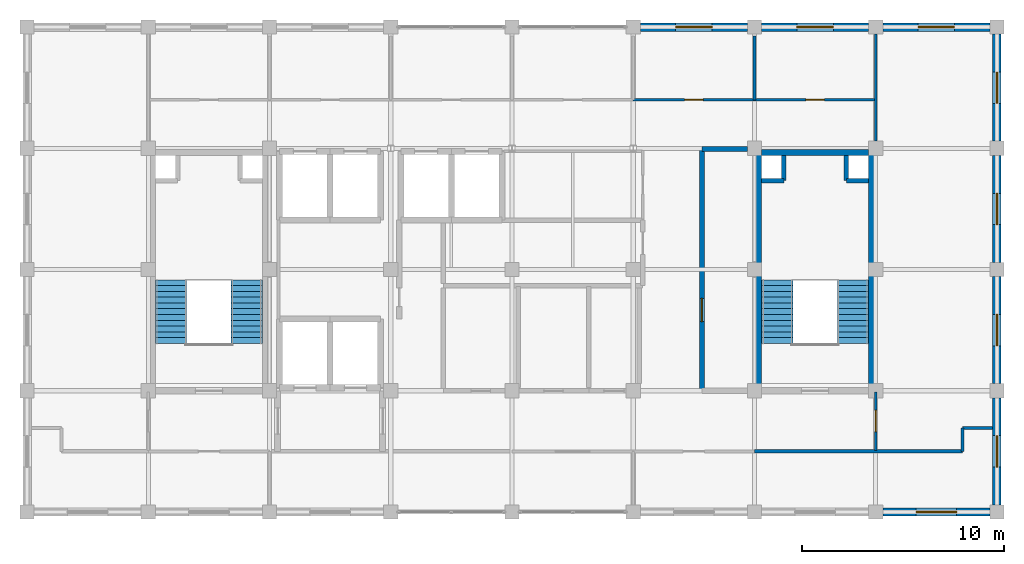
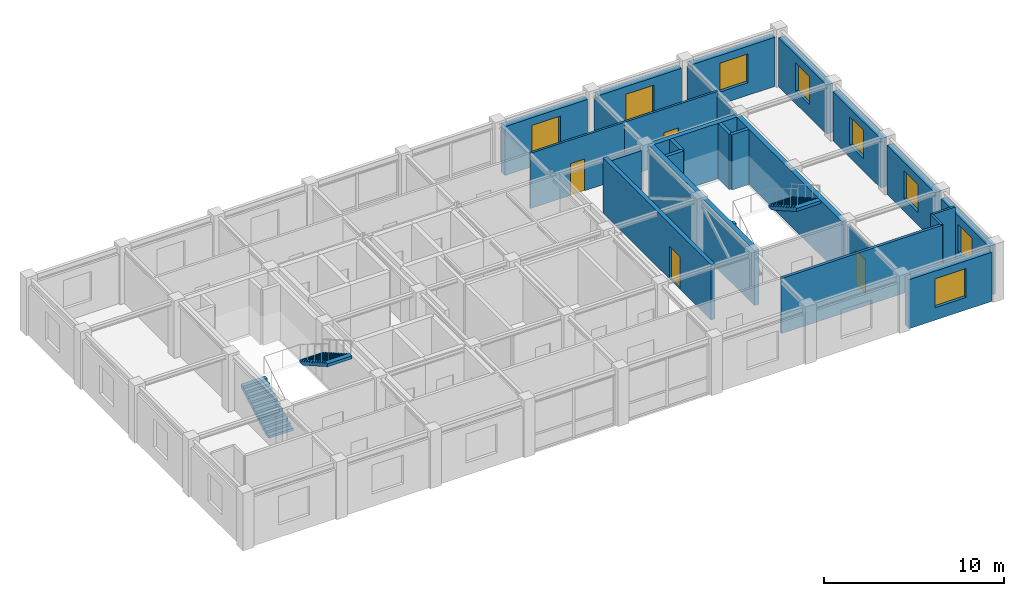
# One storey, part 10 of 11: 25 walls, 8 windows, 4 doors, 4 stair flights, 12 openings, 2 elements without a shape of their own.
"""IFC4 building model written with IfcOpenShell, lengths in metres."""

from ifc_helpers import new_model, si_unit, direction, frame, frame_2d, origin, place, context, subcontext, project, spatial, polyline, rectangle, outline, extrude, material, layer, layer_set, type_object, element, fill, aggregate, save


model = new_model("IFC4")

# Units and contexts
model_context = context("Model", 3, precision=1e-05, world=origin(), true_north=direction((0.0, 1.0)))
body_context = subcontext(model_context, "Body", "Model", "MODEL_VIEW")
ifc_project = project(units=[si_unit("LENGTHUNIT", "METRE"), si_unit("AREAUNIT", "SQUARE_METRE"), si_unit("VOLUMEUNIT", "CUBIC_METRE"), si_unit("PLANEANGLEUNIT", "RADIAN"), si_unit("MASSUNIT", "GRAM", prefix="KILO")], contexts=[model_context])

# Site, building, storey
site_placement = place(None, origin())
site = spatial("IfcSite", under=ifc_project, at=site_placement, CompositionType="ELEMENT")
building_placement = place(site_placement, origin())
building = spatial("IfcBuilding", under=site, at=building_placement, Name="Zlatovratsky Civic Hall", CompositionType="ELEMENT")
storey_placement = place(building_placement, frame((0.0, 0.0, 60.0)))
storey = spatial("IfcBuildingStorey", under=building, at=storey_placement, Name="L15", CompositionType="ELEMENT", Elevation=60.0)

# Wall
ifc_material_1 = material(Name="Acoustic ceramic blockwork", Category="masonry")
ifc_layer_1 = layer(ifc_material_1, 0.179931640625)
ifc_layer_set_1 = layer_set([ifc_layer_1], Name="Acoustic ceramic blockwork")
wall_type_1 = type_object("IfcWallType", Name="Wall_AcousticChamberPartition_180", PredefinedType="PARTITIONING", material=ifc_layer_set_1)
wall_1_placement = place(storey_placement, frame((96.0, 81.0, 0.0), z_axis=(0.0, 0.0, 1.0), x_axis=(1.0, 0.0, 0.0)))
element("IfcWall", 1, at=wall_1_placement, inside=storey, type_object=wall_type_1, Name="WL-6726", PredefinedType="PARTITIONING", context=body_context, shape_type="SweptSolid", body=[
    extrude(rectangle(XDim=10.300048828125, YDim=0.179931640625, at=frame_2d((5.14990234375, 0.0))), origin(), (0.0, 0.0, 1.0), 3.739990234375),
])

# Wall, opening, door
ifc_layer_2 = layer(ifc_material_1, 0.260009765625)
ifc_layer_set_2 = layer_set([ifc_layer_2], Name="Acoustic ceramic blockwork")
wall_type_2 = type_object("IfcWallType", Name="Wall_ArchiveCompartment_260", PredefinedType="PARTITIONING", material=ifc_layer_set_2)
wall_2_placement = place(storey_placement, frame((93.39990234375, 84.0, 0.0), z_axis=(0.0, 0.0, 1.0), x_axis=(0.0, 1.0, 0.0)))
wall_2 = element("IfcWall", 2, at=wall_2_placement, inside=storey, type_object=wall_type_2, Name="WL-6686", PredefinedType="PARTITIONING", context=body_context, shape_type="SweptSolid", body=[
    extrude(rectangle(XDim=11.9599609375, YDim=0.260009765625, at=frame_2d((5.97998046875, 0.0))), origin(), (0.0, 0.0, 1.0), 3.739990234375),
])
opening_1_placement = place(wall_2_placement, frame((3.425048828125, 0.0, 0.0)))
opening_1 = element("IfcOpeningElement", 3, at=opening_1_placement, cuts=wall_2, Name="Opening D-31", PredefinedType="OPENING", context=body_context, shape_type="SweptSolid", body=[
    extrude(rectangle(XDim=1.14990234375, YDim=2.199951171875, at=frame_2d((0.574951171875, 1.10009765625))), frame((0.0, 0.14501953125, 0.0), z_axis=(0.0, -1.0, 0.0), x_axis=(1.0, 0.0, 0.0)), (0.0, 0.0, 1.0), 0.289794921875),
])
ifc_material_2 = material(Name="Insulated painted fire-rated steel leaf", Category="steel")
door_type_1 = type_object("IfcDoorType", Name="Door_RecordsVault_1150x2200", OperationType="NOTDEFINED", PredefinedType="DOOR", material=ifc_material_2)
door_1_placement = place(opening_1_placement, origin())
door_1 = element("IfcDoor", 4, at=door_1_placement, inside=storey, type_object=door_type_1, Name="DR-5515", OperationType="SINGLE_SWING_LEFT", OverallHeight=2.199951171875, OverallWidth=1.14990234375, PredefinedType="DOOR", context=body_context, shape_type="SweptSolid", body=[
    extrude(rectangle(XDim=1.14990234375, YDim=2.199951171875, at=frame_2d((0.574951171875, 1.10009765625))), frame((0.0, 0.02490234375, 0.0), z_axis=(0.0, -1.0, 0.0), x_axis=(1.0, 0.0, 0.0)), (0.0, 0.0, 1.0), 0.050048828125),
])
fill(opening_1, door_1)

# Wall
wall_3_placement = place(storey_placement, frame((93.39990234375, 95.9599609375, 0.0), z_axis=(0.0, 0.0, 1.0), x_axis=(1.0, 0.0, 0.0)))
element("IfcWall", 5, at=wall_3_placement, inside=storey, type_object=wall_type_2, Name="WL-6688", PredefinedType="PARTITIONING", context=body_context, shape_type="SweptSolid", body=[
    extrude(rectangle(XDim=2.25, YDim=0.260009765625, at=frame_2d((1.125, 0.0))), origin(), (0.0, 0.0, 1.0), 3.448974609375),
])

# Wall, opening, door
ifc_material_3 = material(Name="Fire-rated gypsum board framing", Category="gypsum")
ifc_layer_3 = layer(ifc_material_3, 0.139892578125)
ifc_layer_set_3 = layer_set([ifc_layer_3], Name="Fire-rated gypsum board framing")
wall_type_3 = type_object("IfcWallType", Name="Wall_OfficePartition_140", PredefinedType="PARTITIONING", material=ifc_layer_set_3)
wall_4_placement = place(storey_placement, frame((102.0, 81.050048828125, 0.0), z_axis=(0.0, 0.0, 1.0), x_axis=(0.0, 1.0, 0.0)))
wall_4 = element("IfcWall", 6, at=wall_4_placement, inside=storey, type_object=wall_type_3, Name="WL-6699", PredefinedType="PARTITIONING", context=body_context, shape_type="SweptSolid", body=[
    extrude(rectangle(XDim=2.89990234375, YDim=0.139892578125, at=frame_2d((1.449951171875, 0.0))), origin(), (0.0, 0.0, 1.0), 3.448974609375),
])
opening_2_placement = place(wall_4_placement, frame((0.925048828125, 0.0, 0.0)))
opening_2 = element("IfcOpeningElement", 7, at=opening_2_placement, cuts=wall_4, Name="Opening D-24", PredefinedType="OPENING", context=body_context, shape_type="SweptSolid", body=[
    extrude(rectangle(XDim=1.050048828125, YDim=2.25, at=frame_2d((0.52490234375, 1.125))), frame((0.0, 0.0849609375, 0.0), z_axis=(0.0, -1.0, 0.0), x_axis=(1.0, 0.0, 0.0)), (0.0, 0.0, 1.0), 0.169677734375),
])
ifc_material_4 = material(Name="Solid oak joinery in steel frame", Category="steel")
door_type_2 = type_object("IfcDoorType", Name="Door_DirectorateOffice_1050x2250", OperationType="NOTDEFINED", PredefinedType="DOOR", material=ifc_material_4)
door_2_placement = place(opening_2_placement, origin())
door_2 = element("IfcDoor", 8, at=door_2_placement, inside=storey, type_object=door_type_2, Name="DR-5523", OperationType="SINGLE_SWING_RIGHT", OverallHeight=2.25, OverallWidth=1.050048828125, PredefinedType="DOOR", context=body_context, shape_type="SweptSolid", body=[
    extrude(rectangle(XDim=1.050048828125, YDim=2.25, at=frame_2d((0.52490234375, 1.125))), frame((0.0, 0.02490234375, 0.0), z_axis=(0.0, -1.0, 0.0), x_axis=(1.0, 0.0, 0.0)), (0.0, 0.0, 1.0), 0.050048828125),
])
fill(opening_2, door_2)

wall_5_placement = place(storey_placement, frame((90.0, 98.39990234375, 0.0), z_axis=(0.0, 0.0, 1.0), x_axis=(1.0, 0.0, 0.0)))
wall_5 = element("IfcWall", 9, at=wall_5_placement, inside=storey, type_object=wall_type_3, Name="WL-6709", PredefinedType="PARTITIONING", context=body_context, shape_type="SweptSolid", body=[
    extrude(rectangle(XDim=6.0, YDim=0.139892578125, at=frame_2d((3.0, 0.0))), origin(), (0.0, 0.0, 1.0), 3.739990234375),
])
opening_3_placement = place(wall_5_placement, frame((2.5400390625, 0.0, 0.0)))
opening_3 = element("IfcOpeningElement", 10, at=opening_3_placement, cuts=wall_5, Name="Opening D-23", PredefinedType="OPENING", context=body_context, shape_type="SweptSolid", body=[
    extrude(rectangle(XDim=0.919921875, YDim=2.14990234375, at=frame_2d((0.4599609375, 1.074951171875))), frame((0.0, 0.0849609375, 0.0), z_axis=(0.0, -1.0, 0.0), x_axis=(1.0, 0.0, 0.0)), (0.0, 0.0, 1.0), 0.169677734375),
])
door_type_3 = type_object("IfcDoorType", Name="Door_OfficeStandard_920x2150", OperationType="NOTDEFINED", PredefinedType="DOOR", material=ifc_material_4)
door_3_placement = place(opening_3_placement, origin())
door_3 = element("IfcDoor", 11, at=door_3_placement, inside=storey, type_object=door_type_3, Name="DR-5533", OperationType="SINGLE_SWING_RIGHT", OverallHeight=2.14990234375, OverallWidth=0.919921875, PredefinedType="DOOR", context=body_context, shape_type="SweptSolid", body=[
    extrude(rectangle(XDim=0.919921875, YDim=2.14990234375, at=frame_2d((0.4599609375, 1.074951171875))), frame((0.0, 0.02490234375, 0.0), z_axis=(0.0, -1.0, 0.0), x_axis=(1.0, 0.0, 0.0)), (0.0, 0.0, 1.0), 0.050048828125),
])
fill(opening_3, door_3)

wall_6_placement = place(storey_placement, frame((96.0, 98.39990234375, 0.0), z_axis=(0.0, 0.0, 1.0), x_axis=(1.0, 0.0, 0.0)))
wall_6 = element("IfcWall", 12, at=wall_6_placement, inside=storey, type_object=wall_type_3, Name="WL-6710", PredefinedType="PARTITIONING", context=body_context, shape_type="SweptSolid", body=[
    extrude(rectangle(XDim=6.0, YDim=0.139892578125, at=frame_2d((3.0, 0.0))), origin(), (0.0, 0.0, 1.0), 3.739990234375),
])
opening_4_placement = place(wall_6_placement, frame((2.5400390625, 0.0, 0.0)))
opening_4 = element("IfcOpeningElement", 13, at=opening_4_placement, cuts=wall_6, Name="Opening D-23", PredefinedType="OPENING", context=body_context, shape_type="SweptSolid", body=[
    extrude(rectangle(XDim=0.919921875, YDim=2.14990234375, at=frame_2d((0.4599609375, 1.074951171875))), frame((0.0, 0.0849609375, 0.0), z_axis=(0.0, -1.0, 0.0), x_axis=(1.0, 0.0, 0.0)), (0.0, 0.0, 1.0), 0.169677734375),
])
door_4_placement = place(opening_4_placement, origin())
door_4 = element("IfcDoor", 14, at=door_4_placement, inside=storey, type_object=door_type_3, Name="DR-5534", OperationType="SINGLE_SWING_RIGHT", OverallHeight=2.14990234375, OverallWidth=0.919921875, PredefinedType="DOOR", context=body_context, shape_type="SweptSolid", body=[
    extrude(rectangle(XDim=0.919921875, YDim=2.14990234375, at=frame_2d((0.4599609375, 1.074951171875))), frame((0.0, 0.02490234375, 0.0), z_axis=(0.0, -1.0, 0.0), x_axis=(1.0, 0.0, 0.0)), (0.0, 0.0, 1.0), 0.050048828125),
])
fill(opening_4, door_4)

# Walls
wall_7_placement = place(storey_placement, frame((96.0, 98.39990234375, 0.0), z_axis=(0.0, 0.0, 1.0), x_axis=(0.0, 1.0, 0.0)))
element("IfcWall", 15, at=wall_7_placement, inside=storey, type_object=wall_type_3, Name="WL-6719", PredefinedType="PARTITIONING", context=body_context, shape_type="SweptSolid", body=[
    extrude(rectangle(XDim=3.150146484375, YDim=0.139892578125, at=frame_2d((1.5751953125, 0.0))), origin(), (0.0, 0.0, 1.0), 3.448974609375),
])
wall_8_placement = place(storey_placement, frame((106.300048828125, 81.0, 0.0), z_axis=(0.0, 0.0, 1.0), x_axis=(0.0, 1.0, 0.0)))
element("IfcWall", 16, at=wall_8_placement, inside=storey, type_object=wall_type_3, Name="WL-6729", PredefinedType="PARTITIONING", context=body_context, shape_type="SweptSolid", body=[
    extrude(rectangle(XDim=1.14990234375, YDim=0.139892578125, at=frame_2d((0.574951171875, 0.0))), origin(), (0.0, 0.0, 1.0), 3.739990234375),
])
wall_9_placement = place(storey_placement, frame((106.300048828125, 82.14990234375, 0.0), z_axis=(0.0, 0.0, 1.0), x_axis=(1.0, 0.0, 0.0)))
element("IfcWall", 17, at=wall_9_placement, inside=storey, type_object=wall_type_3, Name="WL-6730", PredefinedType="PARTITIONING", context=body_context, shape_type="SweptSolid", body=[
    extrude(rectangle(XDim=1.489990234375, YDim=0.139892578125, at=frame_2d((0.7451171875, 0.0))), origin(), (0.0, 0.0, 1.0), 3.739990234375),
])
wall_10_placement = place(storey_placement, frame((102.0, 96.35009765625, 0.0), z_axis=(0.0, 0.0, 1.0), x_axis=(0.0, 1.0, 0.0)))
element("IfcWall", 18, at=wall_10_placement, inside=storey, type_object=wall_type_3, Name="WL-6732", PredefinedType="PARTITIONING", context=body_context, shape_type="SweptSolid", body=[
    extrude(rectangle(XDim=5.2998046875, YDim=0.139892578125, at=frame_2d((2.64990234375, 0.0))), origin(), (0.0, 0.0, 1.0), 3.448974609375),
])
ifc_layer_4 = layer(ifc_material_1, 0.219970703125)
ifc_layer_set_4 = layer_set([ifc_layer_4], Name="Acoustic ceramic blockwork")
wall_type_4 = type_object("IfcWallType", Name="Wall_SanitaryWetCore_220", PredefinedType="PARTITIONING", material=ifc_layer_set_4)
wall_11_placement = place(storey_placement, frame((97.449951171875, 94.39990234375, 0.0), z_axis=(0.0, 0.0, 1.0), x_axis=(0.0, 1.0, 0.0)))
element("IfcWall", 19, at=wall_11_placement, inside=storey, type_object=wall_type_4, Name="WL-5283", PredefinedType="PARTITIONING", context=body_context, shape_type="SweptSolid", body=[
    extrude(rectangle(XDim=1.25, YDim=0.219970703125, at=frame_2d((0.625, 0.0))), origin(), (0.0, 0.0, 1.0), 3.739990234375),
])
wall_12_placement = place(storey_placement, frame((96.35009765625, 94.39990234375, 0.0), z_axis=(0.0, 0.0, 1.0), x_axis=(1.0, 0.0, 0.0)))
element("IfcWall", 20, at=wall_12_placement, inside=storey, type_object=wall_type_4, Name="WL-5284", PredefinedType="PARTITIONING", context=body_context, shape_type="SweptSolid", body=[
    extrude(rectangle(XDim=1.099853515625, YDim=0.219970703125, at=frame_2d((0.5498046875, 0.0))), origin(), (0.0, 0.0, 1.0), 3.739990234375),
])
wall_13_placement = place(storey_placement, frame((100.550048828125, 94.39990234375, 0.0), z_axis=(0.0, 0.0, 1.0), x_axis=(0.0, 1.0, 0.0)))
element("IfcWall", 21, at=wall_13_placement, inside=storey, type_object=wall_type_4, Name="WL-5285", PredefinedType="PARTITIONING", context=body_context, shape_type="SweptSolid", body=[
    extrude(rectangle(XDim=1.25, YDim=0.219970703125, at=frame_2d((0.625, 0.0))), origin(), (0.0, 0.0, 1.0), 3.739990234375),
])
wall_14_placement = place(storey_placement, frame((100.550048828125, 94.39990234375, 0.0), z_axis=(0.0, 0.0, 1.0), x_axis=(1.0, 0.0, 0.0)))
element("IfcWall", 22, at=wall_14_placement, inside=storey, type_object=wall_type_4, Name="WL-5286", PredefinedType="PARTITIONING", context=body_context, shape_type="SweptSolid", body=[
    extrude(rectangle(XDim=1.099853515625, YDim=0.219970703125, at=frame_2d((0.5498046875, 0.0))), origin(), (0.0, 0.0, 1.0), 3.739990234375),
])
ifc_material_5 = material(Name="Concrete C35/45 (B40)", Category="concrete")
ifc_layer_5 = layer(ifc_material_5, 0.300048828125)
ifc_layer_set_5 = layer_set([ifc_layer_5], Name="Concrete C35/45 (B40)")
wall_type_5 = type_object("IfcWallType", Name="Wall_StairAndLiftShaft_300", PredefinedType="SHEAR", material=ifc_layer_set_5)
wall_15_placement = place(storey_placement, frame((96.35009765625, 95.800048828125, 0.0), z_axis=(0.0, 0.0, 1.0), x_axis=(1.0, 0.0, 0.0)))
element("IfcWall", 23, at=wall_15_placement, inside=storey, type_object=wall_type_5, Name="WL-5280", PredefinedType="SHEAR", context=body_context, shape_type="SweptSolid", body=[
    extrude(rectangle(XDim=5.2998046875, YDim=0.300048828125, at=frame_2d((2.64990234375, 0.0))), origin(), (0.0, 0.0, 1.0), 3.739990234375),
])
for number, where, z_axis, x_axis, name in (
    (24, (96.199951171875, 84.0, 0.0), (0.0, 0.0, 1.0), (0.0, 1.0, 0.0), "WL-5281"),
    (25, (101.800048828125, 84.0, 0.0), (0.0, 0.0, 1.0), (0.0, 1.0, 0.0), "WL-5282"),
):
    element("IfcWall", number, at=place(storey_placement, frame(where, z_axis=z_axis, x_axis=x_axis)), inside=storey, type_object=wall_type_5, Name=name, PredefinedType="SHEAR", context=body_context, shape_type="SweptSolid", body=[
        extrude(rectangle(XDim=11.800048828125, YDim=0.300048828125, at=frame_2d((5.89990234375, 0.0))), origin(), (0.0, 0.0, 1.0), 3.739990234375),
    ])

# Wall, opening, window
ifc_layer_6 = layer(ifc_material_1, 0.280029296875, Name="Backing")
ifc_material_6 = material(Name="Podolsk limestone ashlar", Category="masonry")
ifc_layer_7 = layer(ifc_material_6, 0.139892578125, Name="Finish")
ifc_layer_set_6 = layer_set([ifc_layer_6, ifc_layer_7], Name="Acoustic ceramic blockwork")
wall_type_6 = type_object("IfcWallType", Name="Wall_TowerLimestoneAshlar_420", PredefinedType="SOLIDWALL", material=ifc_layer_set_6)
wall_16_placement = place(storey_placement, frame((102.35009765625, 78.0, 0.0), z_axis=(0.0, 0.0, 1.0), x_axis=(1.0, 0.0, 0.0)))
wall_16 = element("IfcWall", 26, at=wall_16_placement, inside=storey, type_object=wall_type_6, Name="WL-0634", PredefinedType="SOLIDWALL", context=body_context, shape_type="SweptSolid", body=[
    extrude(rectangle(XDim=5.2998046875, YDim=0.419921875, at=frame_2d((2.64990234375, 0.0))), origin(), (0.0, 0.0, 1.0), 3.320068359375),
])
opening_5_placement = place(wall_16_placement, frame((1.64990234375, 0.0, 0.85009765625)))
opening_5 = element("IfcOpeningElement", 27, at=opening_5_placement, cuts=wall_16, Name="Opening WN-20", PredefinedType="OPENING", context=body_context, shape_type="SweptSolid", body=[
    extrude(rectangle(XDim=2.0, YDim=1.949951171875, at=frame_2d((1.0, 0.97509765625))), frame((0.0, 0.224853515625, 0.0), z_axis=(0.0, -1.0, 0.0), x_axis=(1.0, 0.0, 0.0)), (0.0, 0.0, 1.0), 0.44970703125),
])
ifc_material_7 = material(Name="Low-E laminated double glazing", Category="glass")
window_type_1 = type_object("IfcWindowType", Name="Window_TowerTier3South_2000x1950", PartitioningType="SINGLE_PANEL", PredefinedType="WINDOW", material=ifc_material_7)
window_1_placement = place(opening_5_placement, origin())
window_1 = element("IfcWindow", 28, at=window_1_placement, inside=storey, type_object=window_type_1, Name="WN-0506", OverallHeight=1.949951171875, OverallWidth=2.0, PartitioningType="SINGLE_PANEL", PredefinedType="WINDOW", context=body_context, shape_type="SweptSolid", body=[
    extrude(rectangle(XDim=2.0, YDim=1.949951171875, at=frame_2d((1.0, 0.97509765625))), frame((0.0, 0.030029296875, 0.0), z_axis=(0.0, -1.0, 0.0), x_axis=(1.0, 0.0, 0.0)), (0.0, 0.0, 1.0), 0.06005859375),
])
fill(opening_5, window_1)

wall_17_placement = place(storey_placement, frame((90.35009765625, 102.0, 0.0), z_axis=(0.0, 0.0, 1.0), x_axis=(1.0, 0.0, 0.0)))
wall_17 = element("IfcWall", 29, at=wall_17_placement, inside=storey, type_object=wall_type_6, Name="WL-0638", PredefinedType="SOLIDWALL", context=body_context, shape_type="SweptSolid", body=[
    extrude(rectangle(XDim=5.2998046875, YDim=0.419921875, at=frame_2d((2.64990234375, 0.0))), origin(), (0.0, 0.0, 1.0), 3.320068359375),
])
opening_6_placement = place(wall_17_placement, frame((1.75, 0.0, 0.85009765625)))
opening_6 = element("IfcOpeningElement", 30, at=opening_6_placement, cuts=wall_17, Name="Opening WN-21", PredefinedType="OPENING", context=body_context, shape_type="SweptSolid", body=[
    extrude(rectangle(XDim=1.800048828125, YDim=1.949951171875, at=frame_2d((0.89990234375, 0.97509765625))), frame((0.0, 0.224853515625, 0.0), z_axis=(0.0, -1.0, 0.0), x_axis=(1.0, 0.0, 0.0)), (0.0, 0.0, 1.0), 0.44970703125),
])
window_type_2 = type_object("IfcWindowType", Name="Window_TowerTier3North_1800x1950", PartitioningType="SINGLE_PANEL", PredefinedType="WINDOW", material=ifc_material_7)
window_2_placement = place(opening_6_placement, origin())
window_2 = element("IfcWindow", 31, at=window_2_placement, inside=storey, type_object=window_type_2, Name="WN-0510", OverallHeight=1.949951171875, OverallWidth=1.800048828125, PartitioningType="SINGLE_PANEL", PredefinedType="WINDOW", context=body_context, shape_type="SweptSolid", body=[
    extrude(rectangle(XDim=1.800048828125, YDim=1.949951171875, at=frame_2d((0.89990234375, 0.97509765625))), frame((0.0, 0.030029296875, 0.0), z_axis=(0.0, -1.0, 0.0), x_axis=(1.0, 0.0, 0.0)), (0.0, 0.0, 1.0), 0.06005859375),
])
fill(opening_6, window_2)

wall_18_placement = place(storey_placement, frame((96.35009765625, 102.0, 0.0), z_axis=(0.0, 0.0, 1.0), x_axis=(1.0, 0.0, 0.0)))
wall_18 = element("IfcWall", 32, at=wall_18_placement, inside=storey, type_object=wall_type_6, Name="WL-0639", PredefinedType="SOLIDWALL", context=body_context, shape_type="SweptSolid", body=[
    extrude(rectangle(XDim=5.2998046875, YDim=0.419921875, at=frame_2d((2.64990234375, 0.0))), origin(), (0.0, 0.0, 1.0), 3.320068359375),
])
opening_7_placement = place(wall_18_placement, frame((1.75, 0.0, 0.85009765625)))
opening_7 = element("IfcOpeningElement", 33, at=opening_7_placement, cuts=wall_18, Name="Opening WN-21", PredefinedType="OPENING", context=body_context, shape_type="SweptSolid", body=[
    extrude(rectangle(XDim=1.800048828125, YDim=1.949951171875, at=frame_2d((0.89990234375, 0.97509765625))), frame((0.0, 0.224853515625, 0.0), z_axis=(0.0, -1.0, 0.0), x_axis=(1.0, 0.0, 0.0)), (0.0, 0.0, 1.0), 0.44970703125),
])
window_3_placement = place(opening_7_placement, origin())
window_3 = element("IfcWindow", 34, at=window_3_placement, inside=storey, type_object=window_type_2, Name="WN-0511", OverallHeight=1.949951171875, OverallWidth=1.800048828125, PartitioningType="SINGLE_PANEL", PredefinedType="WINDOW", context=body_context, shape_type="SweptSolid", body=[
    extrude(rectangle(XDim=1.800048828125, YDim=1.949951171875, at=frame_2d((0.89990234375, 0.97509765625))), frame((0.0, 0.030029296875, 0.0), z_axis=(0.0, -1.0, 0.0), x_axis=(1.0, 0.0, 0.0)), (0.0, 0.0, 1.0), 0.06005859375),
])
fill(opening_7, window_3)

wall_19_placement = place(storey_placement, frame((102.35009765625, 102.0, 0.0), z_axis=(0.0, 0.0, 1.0), x_axis=(1.0, 0.0, 0.0)))
wall_19 = element("IfcWall", 35, at=wall_19_placement, inside=storey, type_object=wall_type_6, Name="WL-0640", PredefinedType="SOLIDWALL", context=body_context, shape_type="SweptSolid", body=[
    extrude(rectangle(XDim=5.2998046875, YDim=0.419921875, at=frame_2d((2.64990234375, 0.0))), origin(), (0.0, 0.0, 1.0), 3.320068359375),
])
opening_8_placement = place(wall_19_placement, frame((1.75, 0.0, 0.85009765625)))
opening_8 = element("IfcOpeningElement", 36, at=opening_8_placement, cuts=wall_19, Name="Opening WN-21", PredefinedType="OPENING", context=body_context, shape_type="SweptSolid", body=[
    extrude(rectangle(XDim=1.800048828125, YDim=1.949951171875, at=frame_2d((0.89990234375, 0.97509765625))), frame((0.0, 0.224853515625, 0.0), z_axis=(0.0, -1.0, 0.0), x_axis=(1.0, 0.0, 0.0)), (0.0, 0.0, 1.0), 0.44970703125),
])
window_4_placement = place(opening_8_placement, origin())
window_4 = element("IfcWindow", 37, at=window_4_placement, inside=storey, type_object=window_type_2, Name="WN-0512", OverallHeight=1.949951171875, OverallWidth=1.800048828125, PartitioningType="SINGLE_PANEL", PredefinedType="WINDOW", context=body_context, shape_type="SweptSolid", body=[
    extrude(rectangle(XDim=1.800048828125, YDim=1.949951171875, at=frame_2d((0.89990234375, 0.97509765625))), frame((0.0, 0.030029296875, 0.0), z_axis=(0.0, -1.0, 0.0), x_axis=(1.0, 0.0, 0.0)), (0.0, 0.0, 1.0), 0.06005859375),
])
fill(opening_8, window_4)

wall_20_placement = place(storey_placement, frame((108.0, 78.35009765625, 0.0), z_axis=(0.0, 0.0, 1.0), x_axis=(0.0, 1.0, 0.0)))
wall_20 = element("IfcWall", 38, at=wall_20_placement, inside=storey, type_object=wall_type_6, Name="WL-0645", PredefinedType="SOLIDWALL", context=body_context, shape_type="SweptSolid", body=[
    extrude(rectangle(XDim=5.2998046875, YDim=0.419921875, at=frame_2d((2.64990234375, 0.0))), origin(), (0.0, 0.0, 1.0), 3.320068359375),
])
opening_9_placement = place(wall_20_placement, frame((1.875, 0.0, 0.85009765625)))
opening_9 = element("IfcOpeningElement", 39, at=opening_9_placement, cuts=wall_20, Name="Opening WN-22", PredefinedType="OPENING", context=body_context, shape_type="SweptSolid", body=[
    extrude(rectangle(XDim=1.550048828125, YDim=1.89990234375, at=frame_2d((0.77490234375, 0.949951171875))), frame((0.0, 0.224853515625, 0.0), z_axis=(0.0, -1.0, 0.0), x_axis=(1.0, 0.0, 0.0)), (0.0, 0.0, 1.0), 0.44970703125),
])
window_type_3 = type_object("IfcWindowType", Name="Window_TowerTier3Flank_1550x1900", PartitioningType="SINGLE_PANEL", PredefinedType="WINDOW", material=ifc_material_7)
window_5_placement = place(opening_9_placement, origin())
window_5 = element("IfcWindow", 40, at=window_5_placement, inside=storey, type_object=window_type_3, Name="WN-0517", OverallHeight=1.89990234375, OverallWidth=1.550048828125, PartitioningType="SINGLE_PANEL", PredefinedType="WINDOW", context=body_context, shape_type="SweptSolid", body=[
    extrude(rectangle(XDim=1.550048828125, YDim=1.89990234375, at=frame_2d((0.77490234375, 0.949951171875))), frame((0.0, 0.030029296875, 0.0), z_axis=(0.0, -1.0, 0.0), x_axis=(1.0, 0.0, 0.0)), (0.0, 0.0, 1.0), 0.06005859375),
])
fill(opening_9, window_5)

wall_21_placement = place(storey_placement, frame((108.0, 84.35009765625, 0.0), z_axis=(0.0, 0.0, 1.0), x_axis=(0.0, 1.0, 0.0)))
wall_21 = element("IfcWall", 41, at=wall_21_placement, inside=storey, type_object=wall_type_6, Name="WL-0646", PredefinedType="SOLIDWALL", context=body_context, shape_type="SweptSolid", body=[
    extrude(rectangle(XDim=5.2998046875, YDim=0.419921875, at=frame_2d((2.64990234375, 0.0))), origin(), (0.0, 0.0, 1.0), 3.320068359375),
])
opening_10_placement = place(wall_21_placement, frame((1.875, 0.0, 0.85009765625)))
opening_10 = element("IfcOpeningElement", 42, at=opening_10_placement, cuts=wall_21, Name="Opening WN-22", PredefinedType="OPENING", context=body_context, shape_type="SweptSolid", body=[
    extrude(rectangle(XDim=1.550048828125, YDim=1.89990234375, at=frame_2d((0.77490234375, 0.949951171875))), frame((0.0, 0.224853515625, 0.0), z_axis=(0.0, -1.0, 0.0), x_axis=(1.0, 0.0, 0.0)), (0.0, 0.0, 1.0), 0.44970703125),
])
window_6_placement = place(opening_10_placement, origin())
window_6 = element("IfcWindow", 43, at=window_6_placement, inside=storey, type_object=window_type_3, Name="WN-0518", OverallHeight=1.89990234375, OverallWidth=1.550048828125, PartitioningType="SINGLE_PANEL", PredefinedType="WINDOW", context=body_context, shape_type="SweptSolid", body=[
    extrude(rectangle(XDim=1.550048828125, YDim=1.89990234375, at=frame_2d((0.77490234375, 0.949951171875))), frame((0.0, 0.030029296875, 0.0), z_axis=(0.0, -1.0, 0.0), x_axis=(1.0, 0.0, 0.0)), (0.0, 0.0, 1.0), 0.06005859375),
])
fill(opening_10, window_6)

wall_22_placement = place(storey_placement, frame((108.0, 90.35009765625, 0.0), z_axis=(0.0, 0.0, 1.0), x_axis=(0.0, 1.0, 0.0)))
wall_22 = element("IfcWall", 44, at=wall_22_placement, inside=storey, type_object=wall_type_6, Name="WL-0647", PredefinedType="SOLIDWALL", context=body_context, shape_type="SweptSolid", body=[
    extrude(rectangle(XDim=5.2998046875, YDim=0.419921875, at=frame_2d((2.64990234375, 0.0))), origin(), (0.0, 0.0, 1.0), 3.320068359375),
])
opening_11_placement = place(wall_22_placement, frame((1.875, 0.0, 0.85009765625)))
opening_11 = element("IfcOpeningElement", 45, at=opening_11_placement, cuts=wall_22, Name="Opening WN-22", PredefinedType="OPENING", context=body_context, shape_type="SweptSolid", body=[
    extrude(rectangle(XDim=1.550048828125, YDim=1.89990234375, at=frame_2d((0.77490234375, 0.949951171875))), frame((0.0, 0.224853515625, 0.0), z_axis=(0.0, -1.0, 0.0), x_axis=(1.0, 0.0, 0.0)), (0.0, 0.0, 1.0), 0.44970703125),
])
window_7_placement = place(opening_11_placement, origin())
window_7 = element("IfcWindow", 46, at=window_7_placement, inside=storey, type_object=window_type_3, Name="WN-0519", OverallHeight=1.89990234375, OverallWidth=1.550048828125, PartitioningType="SINGLE_PANEL", PredefinedType="WINDOW", context=body_context, shape_type="SweptSolid", body=[
    extrude(rectangle(XDim=1.550048828125, YDim=1.89990234375, at=frame_2d((0.77490234375, 0.949951171875))), frame((0.0, 0.030029296875, 0.0), z_axis=(0.0, -1.0, 0.0), x_axis=(1.0, 0.0, 0.0)), (0.0, 0.0, 1.0), 0.06005859375),
])
fill(opening_11, window_7)

wall_23_placement = place(storey_placement, frame((108.0, 96.35009765625, 0.0), z_axis=(0.0, 0.0, 1.0), x_axis=(0.0, 1.0, 0.0)))
wall_23 = element("IfcWall", 47, at=wall_23_placement, inside=storey, type_object=wall_type_6, Name="WL-0648", PredefinedType="SOLIDWALL", context=body_context, shape_type="SweptSolid", body=[
    extrude(rectangle(XDim=5.2998046875, YDim=0.419921875, at=frame_2d((2.64990234375, 0.0))), origin(), (0.0, 0.0, 1.0), 3.320068359375),
])
opening_12_placement = place(wall_23_placement, frame((1.875, 0.0, 0.85009765625)))
opening_12 = element("IfcOpeningElement", 48, at=opening_12_placement, cuts=wall_23, Name="Opening WN-22", PredefinedType="OPENING", context=body_context, shape_type="SweptSolid", body=[
    extrude(rectangle(XDim=1.550048828125, YDim=1.89990234375, at=frame_2d((0.77490234375, 0.949951171875))), frame((0.0, 0.224853515625, 0.0), z_axis=(0.0, -1.0, 0.0), x_axis=(1.0, 0.0, 0.0)), (0.0, 0.0, 1.0), 0.44970703125),
])
window_8_placement = place(opening_12_placement, origin())
window_8 = element("IfcWindow", 49, at=window_8_placement, inside=storey, type_object=window_type_3, Name="WN-0520", OverallHeight=1.89990234375, OverallWidth=1.550048828125, PartitioningType="SINGLE_PANEL", PredefinedType="WINDOW", context=body_context, shape_type="SweptSolid", body=[
    extrude(rectangle(XDim=1.550048828125, YDim=1.89990234375, at=frame_2d((0.77490234375, 0.949951171875))), frame((0.0, 0.030029296875, 0.0), z_axis=(0.0, -1.0, 0.0), x_axis=(1.0, 0.0, 0.0)), (0.0, 0.0, 1.0), 0.06005859375),
])
fill(opening_12, window_8)

# Stair, stair flights
ifc_material_8 = material(Name="Concrete C30/37 (B35)", Category="concrete")
stair_type = type_object("IfcStairType", Name="Stair_HALF_24R_1550W_04", PredefinedType="HALF_TURN_STAIR", material=ifc_material_8)
stair_1_placement = place(storey_placement, origin())
stair_1 = element("IfcStair", 50, at=stair_1_placement, inside=storey, type_object=stair_type, Name="ST-016", PredefinedType="HALF_TURN_STAIR")
stair_flight_type = type_object("IfcStairFlightType", Name="StairFlight_12R_1550W_04", PredefinedType="STRAIGHT", material=ifc_material_8)
stair_flight_1_placement = place(storey_placement, frame((67.125, 86.35009765625, 0.0), z_axis=(0.0, 0.0, 1.0), x_axis=(0.0, 1.0, 0.0)))
stair_flight_1 = element("IfcStairFlight", 51, at=stair_flight_1_placement, type_object=stair_flight_type, Name="ST-016-F1", NumberOfRisers=12, NumberOfTreads=11, PredefinedType="STRAIGHT", RiserHeight=0.1625, TreadLength=0.285, context=body_context, shape_type="SweptSolid", body=[
    extrude(outline(polyline([(0.0, 0.0), (0.0, 0.16259765625), (0.284912109375, 0.16259765625), (0.284912109375, 0.324951171875), (0.570068359375, 0.324951171875), (0.570068359375, 0.487548828125), (0.85498046875, 0.487548828125), (0.85498046875, 0.64990234375), (1.139892578125, 0.64990234375), (1.139892578125, 0.8125), (1.425048828125, 0.8125), (1.425048828125, 0.97509765625), (1.7099609375, 0.97509765625), (1.7099609375, 1.137451171875), (1.9951171875, 1.137451171875), (1.9951171875, 1.300048828125), (2.280029296875, 1.300048828125), (2.280029296875, 1.46240234375), (2.56494140625, 1.46240234375), (2.56494140625, 1.625), (2.85009765625, 1.625), (2.85009765625, 1.78759765625), (3.135009765625, 1.78759765625), (3.135009765625, 1.949951171875), (3.135009765625, 1.580322265625), (0.36328125, 0.0), (0.0, 0.0)])), frame((0.0, 0.77490234375, 0.0), z_axis=(0.0, -1.0, 0.0), x_axis=(1.0, 0.0, 0.0)), (0.0, 0.0, 1.0), 1.550048828125),
])
stair_flight_2_placement = place(storey_placement, frame((70.875, 89.485107421875, 1.949951171875), z_axis=(0.0, 0.0, 1.0), x_axis=(0.0, -1.0, 0.0)))
stair_flight_2 = element("IfcStairFlight", 52, at=stair_flight_2_placement, type_object=stair_flight_type, Name="ST-016-F2", NumberOfRisers=12, NumberOfTreads=11, PredefinedType="STRAIGHT", RiserHeight=0.1625, TreadLength=0.285, context=body_context, shape_type="SweptSolid", body=[
    extrude(outline(polyline([(0.0, 0.0), (0.0, 0.16259765625), (0.284912109375, 0.16259765625), (0.284912109375, 0.324951171875), (0.570068359375, 0.324951171875), (0.570068359375, 0.487548828125), (0.85498046875, 0.487548828125), (0.85498046875, 0.64990234375), (1.139892578125, 0.64990234375), (1.139892578125, 0.8125), (1.425048828125, 0.8125), (1.425048828125, 0.97509765625), (1.7099609375, 0.97509765625), (1.7099609375, 1.137451171875), (1.9951171875, 1.137451171875), (1.9951171875, 1.300048828125), (2.280029296875, 1.300048828125), (2.280029296875, 1.46240234375), (2.56494140625, 1.46240234375), (2.56494140625, 1.625), (2.85009765625, 1.625), (2.85009765625, 1.78759765625), (3.135009765625, 1.78759765625), (3.135009765625, 1.949951171875), (3.135009765625, 1.580322265625), (0.36328125, 0.0), (0.0, 0.0)])), frame((0.0, 0.77490234375, 0.0), z_axis=(0.0, -1.0, 0.0), x_axis=(1.0, 0.0, 0.0)), (0.0, 0.0, 1.0), 1.550048828125),
])
aggregate(stair_1, [stair_flight_1, stair_flight_2])

stair_2_placement = place(storey_placement, origin())
stair_2 = element("IfcStair", 53, at=stair_2_placement, inside=storey, type_object=stair_type, Name="ST-035", PredefinedType="HALF_TURN_STAIR")
stair_flight_3_placement = place(storey_placement, frame((97.125, 86.35009765625, 0.0), z_axis=(0.0, 0.0, 1.0), x_axis=(0.0, 1.0, 0.0)))
stair_flight_3 = element("IfcStairFlight", 54, at=stair_flight_3_placement, type_object=stair_flight_type, Name="ST-035-F1", NumberOfRisers=12, NumberOfTreads=11, PredefinedType="STRAIGHT", RiserHeight=0.1625, TreadLength=0.285, context=body_context, shape_type="SweptSolid", body=[
    extrude(outline(polyline([(0.0, 0.0), (0.0, 0.16259765625), (0.284912109375, 0.16259765625), (0.284912109375, 0.324951171875), (0.570068359375, 0.324951171875), (0.570068359375, 0.487548828125), (0.85498046875, 0.487548828125), (0.85498046875, 0.64990234375), (1.139892578125, 0.64990234375), (1.139892578125, 0.8125), (1.425048828125, 0.8125), (1.425048828125, 0.97509765625), (1.7099609375, 0.97509765625), (1.7099609375, 1.137451171875), (1.9951171875, 1.137451171875), (1.9951171875, 1.300048828125), (2.280029296875, 1.300048828125), (2.280029296875, 1.46240234375), (2.56494140625, 1.46240234375), (2.56494140625, 1.625), (2.85009765625, 1.625), (2.85009765625, 1.78759765625), (3.135009765625, 1.78759765625), (3.135009765625, 1.949951171875), (3.135009765625, 1.580322265625), (0.36328125, 0.0), (0.0, 0.0)])), frame((0.0, 0.77490234375, 0.0), z_axis=(0.0, -1.0, 0.0), x_axis=(1.0, 0.0, 0.0)), (0.0, 0.0, 1.0), 1.550048828125),
])
stair_flight_4_placement = place(storey_placement, frame((100.875, 89.485107421875, 1.949951171875), z_axis=(0.0, 0.0, 1.0), x_axis=(0.0, -1.0, 0.0)))
stair_flight_4 = element("IfcStairFlight", 55, at=stair_flight_4_placement, type_object=stair_flight_type, Name="ST-035-F2", NumberOfRisers=12, NumberOfTreads=11, PredefinedType="STRAIGHT", RiserHeight=0.1625, TreadLength=0.285, context=body_context, shape_type="SweptSolid", body=[
    extrude(outline(polyline([(0.0, 0.0), (0.0, 0.16259765625), (0.284912109375, 0.16259765625), (0.284912109375, 0.324951171875), (0.570068359375, 0.324951171875), (0.570068359375, 0.487548828125), (0.85498046875, 0.487548828125), (0.85498046875, 0.64990234375), (1.139892578125, 0.64990234375), (1.139892578125, 0.8125), (1.425048828125, 0.8125), (1.425048828125, 0.97509765625), (1.7099609375, 0.97509765625), (1.7099609375, 1.137451171875), (1.9951171875, 1.137451171875), (1.9951171875, 1.300048828125), (2.280029296875, 1.300048828125), (2.280029296875, 1.46240234375), (2.56494140625, 1.46240234375), (2.56494140625, 1.625), (2.85009765625, 1.625), (2.85009765625, 1.78759765625), (3.135009765625, 1.78759765625), (3.135009765625, 1.949951171875), (3.135009765625, 1.580322265625), (0.36328125, 0.0), (0.0, 0.0)])), frame((0.0, 0.77490234375, 0.0), z_axis=(0.0, -1.0, 0.0), x_axis=(1.0, 0.0, 0.0)), (0.0, 0.0, 1.0), 1.550048828125),
])
aggregate(stair_2, [stair_flight_3, stair_flight_4])

save(model, "model.ifc")
